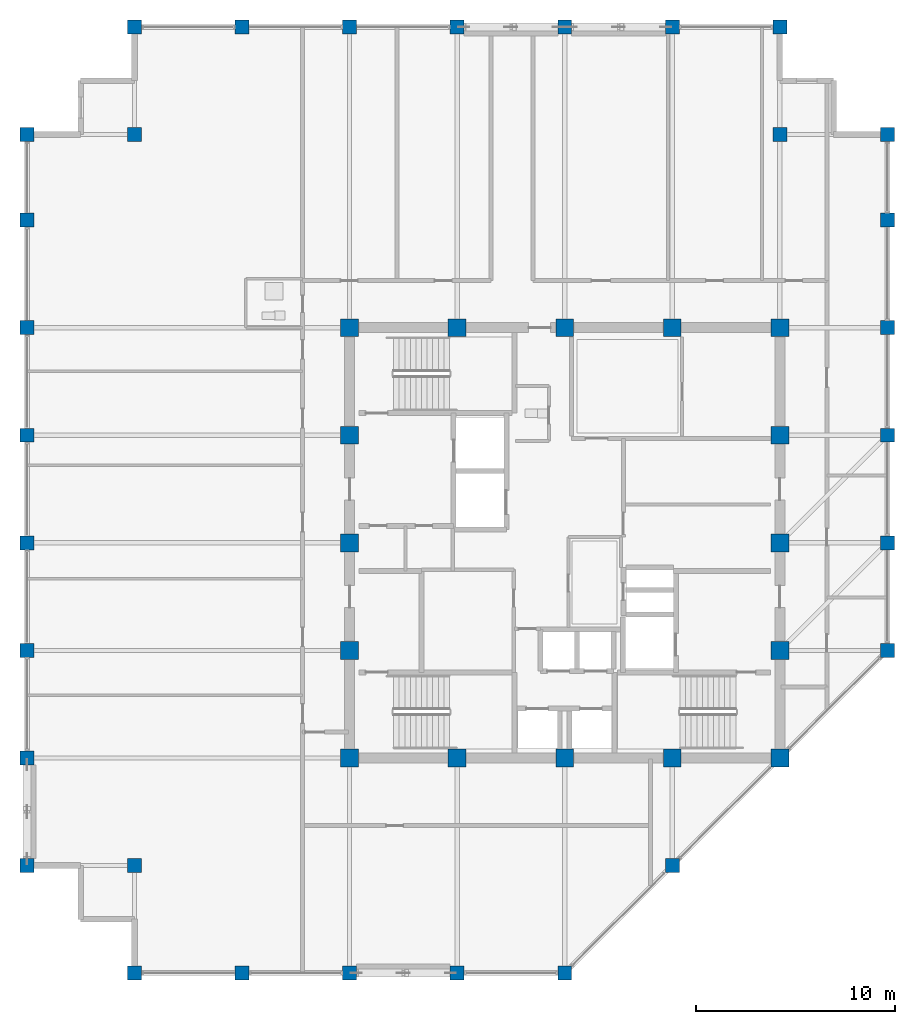
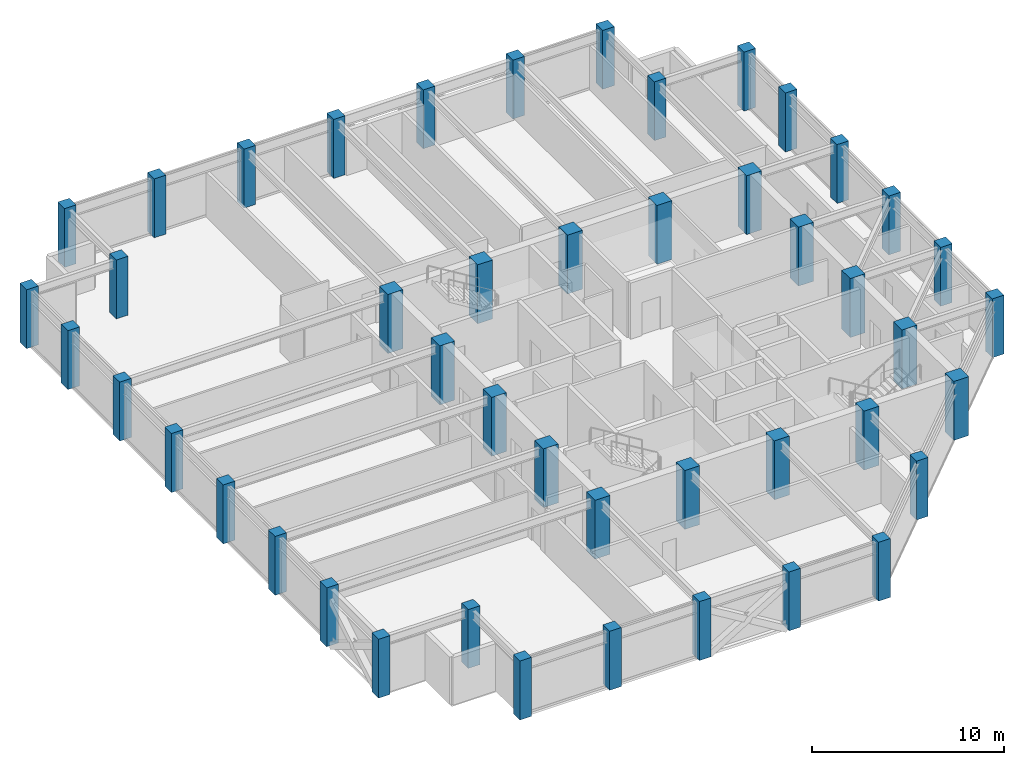
# One storey, part 1 of 31: 46 columns.
"""IFC4 building model written with IfcOpenShell, lengths in metres."""

from ifc_helpers import new_model, si_unit, direction, frame, origin, origin_2d, place, context, subcontext, project, spatial, rectangle, extrude, material, material_profile, profile_set, type_object, element, save


model = new_model("IFC4")

# Units and contexts
model_context = context("Model", 3, precision=1e-05, world=origin(), true_north=direction((0.0, 1.0)))
body_context = subcontext(model_context, "Body", "Model", "MODEL_VIEW")
ifc_project = project(units=[si_unit("LENGTHUNIT", "METRE"), si_unit("AREAUNIT", "SQUARE_METRE"), si_unit("VOLUMEUNIT", "CUBIC_METRE"), si_unit("PLANEANGLEUNIT", "RADIAN"), si_unit("MASSUNIT", "GRAM", prefix="KILO")], contexts=[model_context])

# Site, building, storey
site_placement = place(None, origin())
site = spatial("IfcSite", under=ifc_project, at=site_placement, CompositionType="ELEMENT")
building_placement = place(site_placement, origin())
building = spatial("IfcBuilding", under=site, at=building_placement, Name="Surkhivell Harbour Commons", CompositionType="ELEMENT")
storey_placement = place(building_placement, frame((0.0, 0.0, 288.75)))
storey = spatial("IfcBuildingStorey", under=building, at=storey_placement, Name="L75", CompositionType="ELEMENT", Elevation=288.75)

# Columns
ifc_material_1 = material(Name="Concrete C60/75", Category="concrete")
ifc_material_profile_1 = material_profile(ifc_material_1, rectangle(XDim=0.89990234375, YDim=0.89990234375, at=origin_2d()), Name="RC-COL-900x900")
ifc_profile_set_1 = profile_set([ifc_material_profile_1], Name="Concrete C60/75")
column_type_1 = type_object("IfcColumnType", Name="COL-TUBE-Z3A", PredefinedType="COLUMN", material=ifc_profile_set_1)
for number, where, z_axis, x_axis, name in (
    (1, (-10.800048828125, -10.800048828125, 0.0), (0.0, 0.0, 1.0), (1.0, 0.0, 0.0), "L75 Column CT-3A (-10.8,-10.8)"),
    (2, (-10.800048828125, -5.39990234375, 0.0), (0.0, 0.0, 1.0), (1.0, 0.0, 0.0), "L75 Column CT-3A (-10.8,-5.4)"),
    (3, (-10.800048828125, 0.0, 0.0), (0.0, 0.0, 1.0), (1.0, 0.0, 0.0), "L75 Column CT-3A (-10.8,0.0)"),
    (4, (-10.800048828125, 5.39990234375, 0.0), (0.0, 0.0, 1.0), (1.0, 0.0, 0.0), "L75 Column CT-3A (-10.8,5.4)"),
    (5, (-10.800048828125, 10.800048828125, 0.0), (0.0, 0.0, 1.0), (1.0, 0.0, 0.0), "L75 Column CT-3A (-10.8,10.8)"),
    (6, (-5.39990234375, -10.800048828125, 0.0), (0.0, 0.0, 1.0), (1.0, 0.0, 0.0), "L75 Column CT-3A (-5.4,-10.8)"),
    (7, (-5.39990234375, 10.800048828125, 0.0), (0.0, 0.0, 1.0), (1.0, 0.0, 0.0), "L75 Column CT-3A (-5.4,10.8)"),
    (8, (0.0, -10.800048828125, 0.0), (0.0, 0.0, 1.0), (1.0, 0.0, 0.0), "L75 Column CT-3A (0.0,-10.8)"),
    (9, (0.0, 10.800048828125, 0.0), (0.0, 0.0, 1.0), (1.0, 0.0, 0.0), "L75 Column CT-3A (0.0,10.8)"),
    (10, (5.39990234375, -10.800048828125, 0.0), (0.0, 0.0, 1.0), (1.0, 0.0, 0.0), "L75 Column CT-3A (5.4,-10.8)"),
    (11, (5.39990234375, 10.800048828125, 0.0), (0.0, 0.0, 1.0), (1.0, 0.0, 0.0), "L75 Column CT-3A (5.4,10.8)"),
    (12, (10.800048828125, -10.800048828125, 0.0), (0.0, 0.0, 1.0), (1.0, 0.0, 0.0), "L75 Column CT-3A (10.8,-10.8)"),
    (13, (10.800048828125, -5.39990234375, 0.0), (0.0, 0.0, 1.0), (1.0, 0.0, 0.0), "L75 Column CT-3A (10.8,-5.4)"),
    (14, (10.800048828125, 0.0, 0.0), (0.0, 0.0, 1.0), (1.0, 0.0, 0.0), "L75 Column CT-3A (10.8,0.0)"),
    (15, (10.800048828125, 5.39990234375, 0.0), (0.0, 0.0, 1.0), (1.0, 0.0, 0.0), "L75 Column CT-3A (10.8,5.4)"),
    (16, (10.800048828125, 10.800048828125, 0.0), (0.0, 0.0, 1.0), (1.0, 0.0, 0.0), "L75 Column CT-3A (10.8,10.8)"),
):
    element("IfcColumn", number, at=place(storey_placement, frame(where, z_axis=z_axis, x_axis=x_axis)), inside=storey, type_object=column_type_1, Name=name, PredefinedType="COLUMN", context=body_context, shape_type="SweptSolid", body=[
        extrude(rectangle(XDim=0.89990234375, YDim=0.89990234375, at=origin_2d()), origin(), (0.0, 0.0, 1.0), 3.75),
    ])
ifc_material_2 = material(Name="Concrete C50/60", Category="concrete")
ifc_material_profile_2 = material_profile(ifc_material_2, rectangle(XDim=0.699951171875, YDim=0.699951171875, at=origin_2d()), Name="RC-COL-700x700")
ifc_profile_set_2 = profile_set([ifc_material_profile_2], Name="Concrete C50/60")
column_type_2 = type_object("IfcColumnType", Name="COL-TUBE-Z4", PredefinedType="COLUMN", material=ifc_profile_set_2)
for number, where, z_axis, x_axis, name in (
    (17, (-27.0, -16.199951171875, 0.0), (0.0, 0.0, 1.0), (1.0, 0.0, 0.0), "L75 Column CT-4 (-27.0,-16.2)"),
    (18, (-27.0, -10.800048828125, 0.0), (0.0, 0.0, 1.0), (1.0, 0.0, 0.0), "L75 Column CT-4 (-27.0,-10.8)"),
    (19, (-27.0, -5.39990234375, 0.0), (0.0, 0.0, 1.0), (1.0, 0.0, 0.0), "L75 Column CT-4 (-27.0,-5.4)"),
    (20, (-27.0, 0.0, 0.0), (0.0, 0.0, 1.0), (1.0, 0.0, 0.0), "L75 Column CT-4 (-27.0,0.0)"),
    (21, (-27.0, 5.39990234375, 0.0), (0.0, 0.0, 1.0), (1.0, 0.0, 0.0), "L75 Column CT-4 (-27.0,5.4)"),
    (22, (-27.0, 10.800048828125, 0.0), (0.0, 0.0, 1.0), (1.0, 0.0, 0.0), "L75 Column CT-4 (-27.0,10.8)"),
    (23, (-27.0, 16.199951171875, 0.0), (0.0, 0.0, 1.0), (1.0, 0.0, 0.0), "L75 Column CT-4 (-27.0,16.2)"),
    (24, (-27.0, 20.5, 0.0), (0.0, 0.0, 1.0), (1.0, 0.0, 0.0), "L75 Column CT-4 (-27.0,20.5)"),
    (25, (-21.60009765625, -21.60009765625, 0.0), (0.0, 0.0, 1.0), (1.0, 0.0, 0.0), "L75 Column CT-4 (-21.6,-21.6)"),
    (26, (-21.60009765625, -16.199951171875, 0.0), (0.0, 0.0, 1.0), (1.0, 0.0, 0.0), "L75 Column CT-4 (-21.6,-16.2)"),
    (27, (-21.60009765625, 20.5, 0.0), (0.0, 0.0, 1.0), (1.0, 0.0, 0.0), "L75 Column CT-4 (-21.6,20.5)"),
    (28, (-21.60009765625, 25.89990234375, 0.0), (0.0, 0.0, 1.0), (1.0, 0.0, 0.0), "L75 Column CT-4 (-21.6,25.9)"),
    (29, (-16.199951171875, -21.60009765625, 0.0), (0.0, 0.0, 1.0), (1.0, 0.0, 0.0), "L75 Column CT-4 (-16.2,-21.6)"),
    (30, (-16.199951171875, 25.89990234375, 0.0), (0.0, 0.0, 1.0), (1.0, 0.0, 0.0), "L75 Column CT-4 (-16.2,25.9)"),
    (31, (-10.800048828125, -21.60009765625, 0.0), (0.0, 0.0, 1.0), (1.0, 0.0, 0.0), "L75 Column CT-4 (-10.8,-21.6)"),
    (32, (-10.800048828125, 25.89990234375, 0.0), (0.0, 0.0, 1.0), (1.0, 0.0, 0.0), "L75 Column CT-4 (-10.8,25.9)"),
    (33, (-5.39990234375, -21.60009765625, 0.0), (0.0, 0.0, 1.0), (1.0, 0.0, 0.0), "L75 Column CT-4 (-5.4,-21.6)"),
    (34, (-5.39990234375, 25.89990234375, 0.0), (0.0, 0.0, 1.0), (1.0, 0.0, 0.0), "L75 Column CT-4 (-5.4,25.9)"),
    (35, (0.0, -21.60009765625, 0.0), (0.0, 0.0, 1.0), (1.0, 0.0, 0.0), "L75 Column CT-4 (-0.0,-21.6)"),
    (36, (0.0, 25.89990234375, 0.0), (0.0, 0.0, 1.0), (1.0, 0.0, 0.0), "L75 Column CT-4 (-0.0,25.9)"),
    (37, (5.39990234375, -16.199951171875, 0.0), (0.0, 0.0, 1.0), (1.0, 0.0, 0.0), "L75 Column CT-4 (5.4,-16.2)"),
    (38, (5.39990234375, 25.89990234375, 0.0), (0.0, 0.0, 1.0), (1.0, 0.0, 0.0), "L75 Column CT-4 (5.4,25.9)"),
    (39, (10.800048828125, 20.5, 0.0), (0.0, 0.0, 1.0), (1.0, 0.0, 0.0), "L75 Column CT-4 (10.8,20.5)"),
    (40, (10.800048828125, 25.89990234375, 0.0), (0.0, 0.0, 1.0), (1.0, 0.0, 0.0), "L75 Column CT-4 (10.8,25.9)"),
    (41, (16.199951171875, -5.39990234375, 0.0), (0.0, 0.0, 1.0), (1.0, 0.0, 0.0), "L75 Column CT-4 (16.2,-5.4)"),
    (42, (16.199951171875, 0.0, 0.0), (0.0, 0.0, 1.0), (1.0, 0.0, 0.0), "L75 Column CT-4 (16.2,0.0)"),
    (43, (16.199951171875, 5.39990234375, 0.0), (0.0, 0.0, 1.0), (1.0, 0.0, 0.0), "L75 Column CT-4 (16.2,5.4)"),
    (44, (16.199951171875, 10.800048828125, 0.0), (0.0, 0.0, 1.0), (1.0, 0.0, 0.0), "L75 Column CT-4 (16.2,10.8)"),
    (45, (16.199951171875, 16.199951171875, 0.0), (0.0, 0.0, 1.0), (1.0, 0.0, 0.0), "L75 Column CT-4 (16.2,16.2)"),
    (46, (16.199951171875, 20.5, 0.0), (0.0, 0.0, 1.0), (1.0, 0.0, 0.0), "L75 Column CT-4 (16.2,20.5)"),
):
    element("IfcColumn", number, at=place(storey_placement, frame(where, z_axis=z_axis, x_axis=x_axis)), inside=storey, type_object=column_type_2, Name=name, PredefinedType="COLUMN", context=body_context, shape_type="SweptSolid", body=[
        extrude(rectangle(XDim=0.699951171875, YDim=0.699951171875, at=origin_2d()), origin(), (0.0, 0.0, 1.0), 3.75),
    ])

save(model, "model.ifc")
